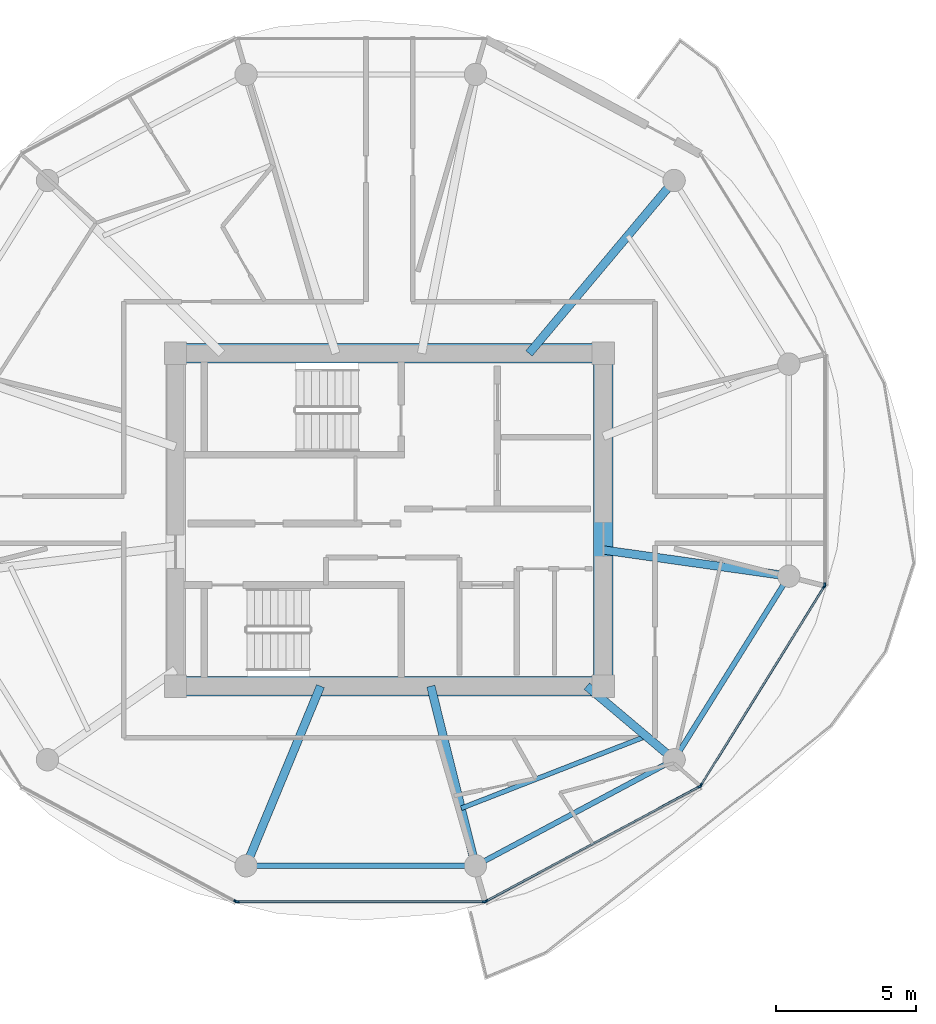
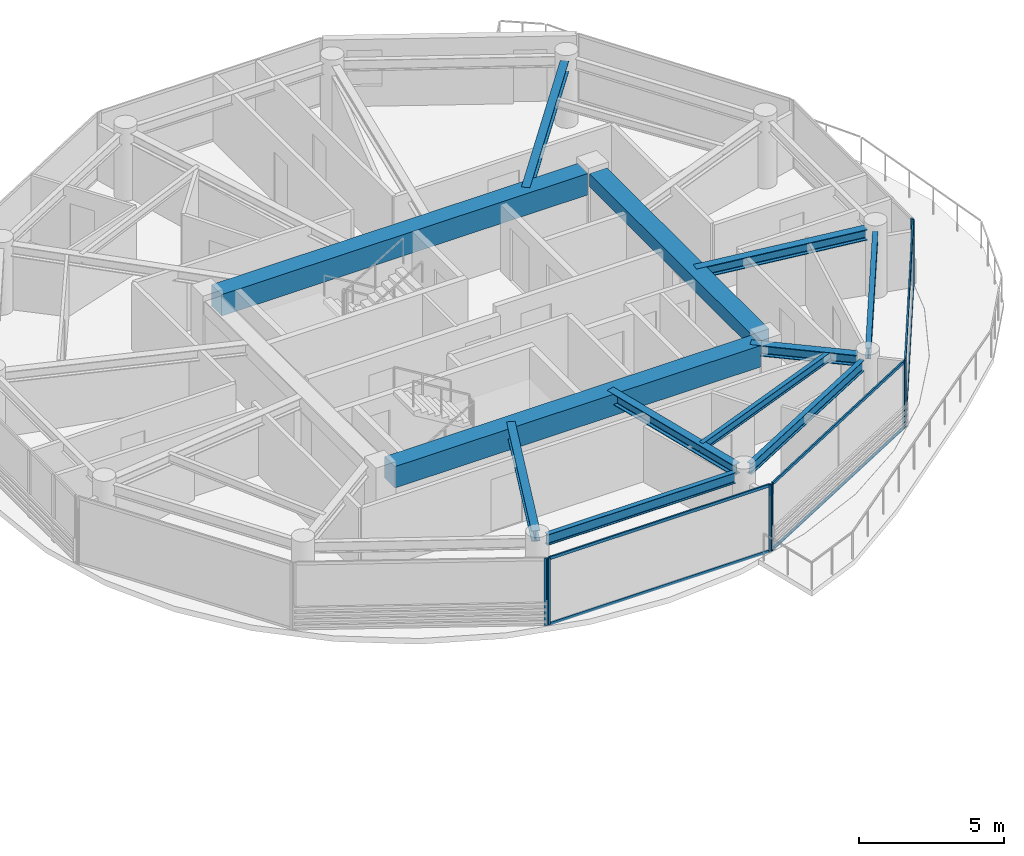
# One storey, part 10 of 23: 14 members, 12 beams, 5 elements without a shape of their own.
"""IFC4 building model written with IfcOpenShell, lengths in metres."""

from ifc_helpers import new_model, si_unit, direction, frame, origin, origin_2d, place, context, subcontext, project, spatial, rectangle, i_section, extrude, source, transform, mapped, material, layer, layer_set, material_profile, profile_set, type_object, type_shapes, element, aggregate, save


model = new_model("IFC4")

# Units and contexts
model_context = context("Model", 3, precision=1e-05, world=origin(), true_north=direction((0.0, 1.0)))
body_context = subcontext(model_context, "Body", "Model", "MODEL_VIEW")
ifc_project = project(units=[si_unit("LENGTHUNIT", "METRE"), si_unit("AREAUNIT", "SQUARE_METRE"), si_unit("VOLUMEUNIT", "CUBIC_METRE"), si_unit("PLANEANGLEUNIT", "RADIAN"), si_unit("MASSUNIT", "GRAM", prefix="KILO")], contexts=[model_context])

# Site, building, storey
site_placement = place(None, origin())
site = spatial("IfcSite", under=ifc_project, at=site_placement, CompositionType="ELEMENT")
building_placement = place(site_placement, origin())
building = spatial("IfcBuilding", under=site, at=building_placement, Name="Norrkilde Senior Care Towers", CompositionType="ELEMENT")
storey_placement = place(building_placement, frame((0.0, 0.0, 164.800048828125)))
storey = spatial("IfcBuildingStorey", under=building, at=storey_placement, Name="L51", CompositionType="ELEMENT", Elevation=164.800048828125)

# Beams
ifc_material_1 = material(Name="Concrete C60/75", Category="concrete")
ifc_material_profile_1 = material_profile(ifc_material_1, rectangle(XDim=0.699951171875, YDim=0.89990234375, at=origin_2d()), Name="RC BM 700x900")
ifc_profile_set_1 = profile_set([ifc_material_profile_1], Name="Concrete C60/75")
beam_type_1 = type_object("IfcBeamType", Name="Core Coupling Girder 700x900", PredefinedType="USERDEFINED", material=ifc_profile_set_1)
shared_shape_1 = source(origin(), body_context, "Body", "SweptSolid", [
    extrude(rectangle(XDim=0.699951171875, YDim=0.89990234375, at=origin_2d()), origin(), (0.0, 0.0, 1.0), 14.5400390625),
])
type_shapes(beam_type_1, [shared_shape_1])
for number, where, z_axis, x_axis, name in (
    (1, (20.72998046875, 5.949951171875, 2.35986328125), (1.0, 0.0, 0.0), (0.0, 1.0, 0.0), "L51 Core E N Coupling Girder"),
    (2, (20.72998046875, -5.949951171875, 2.35986328125), (1.0, 0.0, 0.0), (0.0, 1.0, 0.0), "L51 Core E S Coupling Girder"),
):
    element("IfcBeam", number, at=place(storey_placement, frame(where, z_axis=z_axis, x_axis=x_axis)), inside=storey, type_object=beam_type_1, Name=name, ObjectType="GIRDER", PredefinedType="USERDEFINED", context=body_context, shape_type="MappedRepresentation", body=[
        mapped(shared_shape_1, transform((0.0, 0.0, 0.0), x_axis=(1.0, 0.0, 0.0), y_axis=(0.0, 1.0, 0.0), z_axis=(0.0, 0.0, 1.0), scale=1.0)),
    ])
ifc_material_profile_2 = material_profile(ifc_material_1, rectangle(XDim=0.699951171875, YDim=0.550048828125, at=origin_2d()), Name="RC BM 700x550")
ifc_profile_set_2 = profile_set([ifc_material_profile_2], Name="Concrete C60/75")
beam_type_2 = type_object("IfcBeamType", Name="Core Portal Coupling Beam 700x550", PredefinedType="USERDEFINED", material=ifc_profile_set_2)
shared_shape_2 = source(origin(), body_context, "Body", "SweptSolid", [
    extrude(rectangle(XDim=0.699951171875, YDim=0.550048828125, at=origin_2d()), origin(), (0.0, 0.0, 1.0), 11.14013671875),
])
type_shapes(beam_type_2, [shared_shape_2])
beam_1_placement = place(storey_placement, frame((35.64990234375, -5.570068359375, 2.534912109375), z_axis=(0.0, 1.0, 0.0), x_axis=(-1.0, 0.0, 0.0)))
element("IfcBeam", 3, at=beam_1_placement, inside=storey, type_object=beam_type_2, Name="L51 Core E E Coupling Girder", ObjectType="GIRDER", PredefinedType="USERDEFINED", context=body_context, shape_type="MappedRepresentation", body=[
    mapped(shared_shape_2, transform((0.0, 0.0, 0.0), x_axis=(1.0, 0.0, 0.0), y_axis=(0.0, 1.0, 0.0), z_axis=(0.0, 0.0, 1.0), scale=1.0)),
])
ifc_material_2 = material(Name="Steel S355", Category="steel")
ifc_material_profile_3 = material_profile(ifc_material_2, i_section(OverallWidth=0.18994140625, OverallDepth=0.449951171875, WebThickness=0.009521484375, FlangeThickness=0.0146484375, FilletRadius=0.02099609375, at=origin_2d()), Name="IPE 450")
ifc_profile_set_3 = profile_set([ifc_material_profile_3], Name="Steel S355")
beam_type_3 = type_object("IfcBeamType", Name="Perimeter Ring Spandrel Z3 IPE450", PredefinedType="SPANDREL", material=ifc_profile_set_3)
shared_shape_3 = source(origin(), body_context, "Body", "SweptSolid", [
    extrude(i_section(OverallWidth=0.18994140625, OverallDepth=0.449951171875, WebThickness=0.009521484375, FlangeThickness=0.0146484375, FilletRadius=0.02099609375, at=origin_2d()), origin(), (0.0, 0.0, 1.0), 7.484619140625),
])
beam_2_placement = place(storey_placement, frame((23.232666015625, -12.37548828125, 2.5849609375), z_axis=(1.0, 0.0, 0.0), x_axis=(0.0, 1.0, 0.0)))
element("IfcBeam", 4, at=beam_2_placement, inside=storey, type_object=beam_type_3, Name="L51 Drum E Perimeter Spandrel 09", PredefinedType="SPANDREL", context=body_context, shape_type="MappedRepresentation", body=[
    mapped(shared_shape_3, transform((0.0, 0.0, 0.0), x_axis=(1.0, 0.0, 0.0), y_axis=(0.0, 1.0, 0.0), z_axis=(0.0, 0.0, 1.0), scale=1.0)),
])
ifc_material_profile_4 = material_profile(ifc_material_2, i_section(OverallWidth=0.300048828125, OverallDepth=0.449951171875, WebThickness=0.013916015625, FlangeThickness=0.02587890625, FilletRadius=0.027099609375, at=origin_2d()), Name="HEB 450")
ifc_profile_set_4 = profile_set([ifc_material_profile_4], Name="Steel S355")
beam_type_4 = type_object("IfcBeamType", Name="Radial Floor Beam Z3 HEB450", PredefinedType="BEAM", material=ifc_profile_set_4)
shared_shape_4 = source(origin(), body_context, "Body", "SweptSolid", [
    extrude(i_section(OverallWidth=0.300048828125, OverallDepth=0.449951171875, WebThickness=0.013916015625, FlangeThickness=0.02587890625, FilletRadius=0.027099609375, at=origin_2d()), origin(), (0.0, 0.0, 1.0), 7.71337890625),
])
beam_3_placement = place(storey_placement, frame((32.992919921875, 5.949951171875, 2.5849609375), z_axis=(0.642808239864, 0.766027131872, 0.0), x_axis=(-0.766027131872, 0.642808239864, 0.0)))
element("IfcBeam", 5, at=beam_3_placement, inside=storey, type_object=beam_type_4, Name="L51 Drum E Radial Floor Beam 02", PredefinedType="BEAM", context=body_context, shape_type="MappedRepresentation", body=[
    mapped(shared_shape_4, transform((0.0, 0.0, 0.0), x_axis=(1.0, 0.0, 0.0), y_axis=(0.0, 1.0, 0.0), z_axis=(0.0, 0.0, 1.0), scale=1.0)),
])
shared_shape_5 = source(origin(), body_context, "Body", "SweptSolid", [
    extrude(i_section(OverallWidth=0.18994140625, OverallDepth=0.449951171875, WebThickness=0.009521484375, FlangeThickness=0.0146484375, FilletRadius=0.02099609375, at=origin_2d()), origin(), (0.0, 0.0, 1.0), 7.023193359375),
])
beam_4_placement = place(storey_placement, frame((38.373291015625, -8.2783203125, 2.5849609375), z_axis=(0.529805197269, 0.848119362441, 0.0), x_axis=(-0.848119362441, 0.529805197269, 0.0)))
element("IfcBeam", 6, at=beam_4_placement, inside=storey, type_object=beam_type_3, Name="L51 Drum E Perimeter Spandrel 11", PredefinedType="SPANDREL", context=body_context, shape_type="MappedRepresentation", body=[
    mapped(shared_shape_5, transform((0.0, 0.0, 0.0), x_axis=(1.0, 0.0, 0.0), y_axis=(0.0, 1.0, 0.0), z_axis=(0.0, 0.0, 1.0), scale=1.0)),
])
shared_shape_6 = source(origin(), body_context, "Body", "SweptSolid", [
    extrude(i_section(OverallWidth=0.300048828125, OverallDepth=0.449951171875, WebThickness=0.013916015625, FlangeThickness=0.02587890625, FilletRadius=0.027099609375, at=origin_2d()), origin(), (0.0, 0.0, 1.0), 6.3408203125),
])
beam_5_placement = place(storey_placement, frame((35.64990234375, -1.079833984375, 2.5849609375), z_axis=(0.990184519576, -0.139766294905, 0.0), x_axis=(0.139766294905, 0.990184519576, 0.0)))
element("IfcBeam", 7, at=beam_5_placement, inside=storey, type_object=beam_type_4, Name="L51 Drum E Radial Floor Beam 12", PredefinedType="BEAM", context=body_context, shape_type="MappedRepresentation", body=[
    mapped(shared_shape_6, transform((0.0, 0.0, 0.0), x_axis=(1.0, 0.0, 0.0), y_axis=(0.0, 1.0, 0.0), z_axis=(0.0, 0.0, 1.0), scale=1.0)),
])
shared_shape_7 = source(origin(), body_context, "Body", "SweptSolid", [
    extrude(i_section(OverallWidth=0.18994140625, OverallDepth=0.449951171875, WebThickness=0.009521484375, FlangeThickness=0.0146484375, FilletRadius=0.02099609375, at=origin_2d()), origin(), (0.0, 0.0, 1.0), 7.333984375),
])
type_shapes(beam_type_3, [shared_shape_3, shared_shape_5, shared_shape_7])
beam_6_placement = place(storey_placement, frame((31.394775390625, -12.2060546875, 2.5849609375), z_axis=(0.882234038987, 0.470811109101, 0.0), x_axis=(-0.470811109101, 0.882234038987, 0.0)))
element("IfcBeam", 8, at=beam_6_placement, inside=storey, type_object=beam_type_3, Name="L51 Drum E Perimeter Spandrel 10", PredefinedType="SPANDREL", context=body_context, shape_type="MappedRepresentation", body=[
    mapped(shared_shape_7, transform((0.0, 0.0, 0.0), x_axis=(1.0, 0.0, 0.0), y_axis=(0.0, 1.0, 0.0), z_axis=(0.0, 0.0, 1.0), scale=1.0)),
])
shared_shape_8 = source(origin(), body_context, "Body", "SweptSolid", [
    extrude(i_section(OverallWidth=0.300048828125, OverallDepth=0.449951171875, WebThickness=0.013916015625, FlangeThickness=0.02587890625, FilletRadius=0.027099609375, at=origin_2d()), origin(), (0.0, 0.0, 1.0), 3.7265625),
])
beam_7_placement = place(storey_placement, frame((35.058349609375, -5.949951171875, 2.5849609375), z_axis=(0.764567902106, -0.644543189453, 0.0), x_axis=(0.644543189453, 0.764567902106, 0.0)))
element("IfcBeam", 9, at=beam_7_placement, inside=storey, type_object=beam_type_4, Name="L51 Drum E Radial Floor Beam 11", PredefinedType="BEAM", context=body_context, shape_type="MappedRepresentation", body=[
    mapped(shared_shape_8, transform((0.0, 0.0, 0.0), x_axis=(1.0, 0.0, 0.0), y_axis=(0.0, 1.0, 0.0), z_axis=(0.0, 0.0, 1.0), scale=1.0)),
])
shared_shape_9 = source(origin(), body_context, "Body", "SweptSolid", [
    extrude(i_section(OverallWidth=0.300048828125, OverallDepth=0.449951171875, WebThickness=0.013916015625, FlangeThickness=0.02587890625, FilletRadius=0.027099609375, at=origin_2d()), origin(), (0.0, 0.0, 1.0), 6.26123046875),
])
beam_8_placement = place(storey_placement, frame((29.4794921875, -5.949951171875, 2.5849609375), z_axis=(0.241324375921, -0.970444509277, 0.0), x_axis=(0.970444509277, 0.241324375921, 0.0)))
element("IfcBeam", 10, at=beam_8_placement, inside=storey, type_object=beam_type_4, Name="L51 Drum E Radial Floor Beam 10", PredefinedType="BEAM", context=body_context, shape_type="MappedRepresentation", body=[
    mapped(shared_shape_9, transform((0.0, 0.0, 0.0), x_axis=(1.0, 0.0, 0.0), y_axis=(0.0, 1.0, 0.0), z_axis=(0.0, 0.0, 1.0), scale=1.0)),
])
shared_shape_10 = source(origin(), body_context, "Body", "SweptSolid", [
    extrude(i_section(OverallWidth=0.300048828125, OverallDepth=0.449951171875, WebThickness=0.013916015625, FlangeThickness=0.02587890625, FilletRadius=0.027099609375, at=origin_2d()), origin(), (0.0, 0.0, 1.0), 6.59521484375),
])
type_shapes(beam_type_4, [shared_shape_4, shared_shape_6, shared_shape_8, shared_shape_9, shared_shape_10])
beam_9_placement = place(storey_placement, frame((25.534912109375, -5.949951171875, 2.5849609375), z_axis=(-0.382761541363, -0.923847174836, 0.0), x_axis=(0.923847174836, -0.382761541363, 0.0)))
element("IfcBeam", 11, at=beam_9_placement, inside=storey, type_object=beam_type_4, Name="L51 Drum E Radial Floor Beam 09", PredefinedType="BEAM", context=body_context, shape_type="MappedRepresentation", body=[
    mapped(shared_shape_10, transform((0.0, 0.0, 0.0), x_axis=(1.0, 0.0, 0.0), y_axis=(0.0, 1.0, 0.0), z_axis=(0.0, 0.0, 1.0), scale=1.0)),
])
ifc_material_profile_5 = material_profile(ifc_material_2, i_section(OverallWidth=0.169921875, OverallDepth=0.360107421875, WebThickness=0.008056640625, FlangeThickness=0.0126953125, FilletRadius=0.01806640625, at=origin_2d()), Name="IPE 360")
ifc_profile_set_5 = profile_set([ifc_material_profile_5], Name="Steel S355")
beam_type_5 = type_object("IfcBeamType", Name="Secondary Floor Joist IPE360", PredefinedType="JOIST", material=ifc_profile_set_5)
shared_shape_11 = source(origin(), body_context, "Body", "SweptSolid", [
    extrude(i_section(OverallWidth=0.169921875, OverallDepth=0.360107421875, WebThickness=0.008056640625, FlangeThickness=0.0126953125, FilletRadius=0.01806640625, at=origin_2d()), origin(), (0.0, 0.0, 1.0), 7.1015625),
])
type_shapes(beam_type_5, [shared_shape_11])
beam_10_placement = place(storey_placement, frame((30.56591796875, -10.3193359375, 2.6298828125), z_axis=(0.931761231292, 0.363071629106, 0.0), x_axis=(-0.363071629106, 0.931761231292, 0.0)))
element("IfcBeam", 12, at=beam_10_placement, inside=storey, type_object=beam_type_5, Name="L51 Drum E Secondary Floor Joist 4", PredefinedType="JOIST", context=body_context, shape_type="MappedRepresentation", body=[
    mapped(shared_shape_11, transform((0.0, 0.0, 0.0), x_axis=(1.0, 0.0, 0.0), y_axis=(0.0, 1.0, 0.0), z_axis=(0.0, 0.0, 1.0), scale=1.0)),
])

# Curtain wall, member
ifc_material_3 = material(Name="Triple Low-E Insulated Glazing", Category="glass")
ifc_layer = layer(ifc_material_3, 0.18994140625)
ifc_layer_set = layer_set([ifc_layer], Name="Triple Low-E Insulated Glazing")
curtain_wall_type = type_object("IfcCurtainWallType", Name="CW4 Zone 3 Senior Residence Curtain Wall", PredefinedType="NOTDEFINED", material=ifc_layer_set)
curtain_wall_1_placement = place(storey_placement, origin())
curtain_wall_1 = element("IfcCurtainWall", 13, at=curtain_wall_1_placement, inside=storey, type_object=curtain_wall_type, Name="L51 Drum E Curtain Wall 07", PredefinedType="NOTDEFINED")
ifc_material_4 = material(Name="Anodised Aluminium", Category="aluminium")
ifc_material_profile_6 = material_profile(ifc_material_4, rectangle(XDim=0.06494140625, YDim=0.14990234375, at=origin_2d()), Name="ALU MULL 65x150")
ifc_profile_set_6 = profile_set([ifc_material_profile_6], Name="Anodised Aluminium")
member_type_1 = type_object("IfcMemberType", Name="Curtain Wall Mullion Z3-Z4 65x150", PredefinedType="MULLION", material=ifc_profile_set_6)
shared_shape_12 = source(origin(), body_context, "Body", "SweptSolid", [
    extrude(rectangle(XDim=0.06494140625, YDim=0.14990234375, at=origin_2d()), origin(), (0.0, 0.0, 1.0), 2.81005859375),
])
type_shapes(member_type_1, [shared_shape_12])
member_1_placement = place(storey_placement, frame((22.499755859375, -13.644775390625, 0.0), z_axis=(0.0, 0.0, 1.0), x_axis=(-0.47311715104, -0.880999524059, 0.0)))
member_1 = element("IfcMember", 14, at=member_1_placement, type_object=member_type_1, Name="CW-4 mullion 1", PredefinedType="MULLION", context=body_context, shape_type="MappedRepresentation", body=[
    mapped(shared_shape_12, transform((0.0, 0.0, 0.0), x_axis=(1.0, 0.0, 0.0), y_axis=(0.0, 1.0, 0.0), z_axis=(0.0, 0.0, 1.0), scale=1.0)),
])
aggregate(curtain_wall_1, [member_1])

# Curtain wall, members
curtain_wall_2_placement = place(storey_placement, origin())
curtain_wall_2 = element("IfcCurtainWall", 15, at=curtain_wall_2_placement, inside=storey, type_object=curtain_wall_type, Name="L51 Drum E Curtain Wall 08", PredefinedType="NOTDEFINED")
member_2_placement = place(storey_placement, frame((31.388916015625, -13.66015625, 0.0), z_axis=(0.0, 0.0, 1.0), x_axis=(0.0, -1.0, 0.0)))
member_2 = element("IfcMember", 16, at=member_2_placement, type_object=member_type_1, Name="CW-4 mullion 1", PredefinedType="MULLION", context=body_context, shape_type="MappedRepresentation", body=[
    mapped(shared_shape_12, transform((0.0, 0.0, 0.0), x_axis=(1.0, 0.0, 0.0), y_axis=(0.0, 1.0, 0.0), z_axis=(0.0, 0.0, 1.0), scale=1.0)),
])
member_3_placement = place(storey_placement, frame((22.56103515625, -13.66015625, 0.0), z_axis=(0.0, 0.0, 1.0), x_axis=(0.0, -1.0, 0.0)))
member_3 = element("IfcMember", 17, at=member_3_placement, type_object=member_type_1, Name="CW-4 mullion 2", PredefinedType="MULLION", context=body_context, shape_type="MappedRepresentation", body=[
    mapped(shared_shape_12, transform((0.0, 0.0, 0.0), x_axis=(1.0, 0.0, 0.0), y_axis=(0.0, 1.0, 0.0), z_axis=(0.0, 0.0, 1.0), scale=1.0)),
])

curtain_wall_3_placement = place(storey_placement, origin())
curtain_wall_3 = element("IfcCurtainWall", 18, at=curtain_wall_3_placement, inside=storey, type_object=curtain_wall_type, Name="L51 Drum E Curtain Wall 09", PredefinedType="NOTDEFINED")
member_4_placement = place(storey_placement, frame((39.094482421875, -9.53955078125, 0.0), z_axis=(0.0, 0.0, 1.0), x_axis=(0.47311715104, -0.880999524059, 0.0)))
member_4 = element("IfcMember", 19, at=member_4_placement, type_object=member_type_1, Name="CW-4 mullion 1", PredefinedType="MULLION", context=body_context, shape_type="MappedRepresentation", body=[
    mapped(shared_shape_12, transform((0.0, 0.0, 0.0), x_axis=(1.0, 0.0, 0.0), y_axis=(0.0, 1.0, 0.0), z_axis=(0.0, 0.0, 1.0), scale=1.0)),
])
member_5_placement = place(storey_placement, frame((31.4501953125, -13.644775390625, 0.0), z_axis=(0.0, 0.0, 1.0), x_axis=(0.47311715104, -0.880999524059, 0.0)))
member_5 = element("IfcMember", 20, at=member_5_placement, type_object=member_type_1, Name="CW-4 mullion 2", PredefinedType="MULLION", context=body_context, shape_type="MappedRepresentation", body=[
    mapped(shared_shape_12, transform((0.0, 0.0, 0.0), x_axis=(1.0, 0.0, 0.0), y_axis=(0.0, 1.0, 0.0), z_axis=(0.0, 0.0, 1.0), scale=1.0)),
])

curtain_wall_4_placement = place(storey_placement, origin())
curtain_wall_4 = element("IfcCurtainWall", 21, at=curtain_wall_4_placement, inside=storey, type_object=curtain_wall_type, Name="L51 Drum E Curtain Wall 10", PredefinedType="NOTDEFINED")
member_6_placement = place(storey_placement, frame((43.552490234375, -2.38818359375, 0.0), z_axis=(0.0, 0.0, 1.0), x_axis=(0.84963405474, -0.52737270789, 0.0)))
member_6 = element("IfcMember", 22, at=member_6_placement, type_object=member_type_1, Name="CW-4 mullion 1", PredefinedType="MULLION", context=body_context, shape_type="MappedRepresentation", body=[
    mapped(shared_shape_12, transform((0.0, 0.0, 0.0), x_axis=(1.0, 0.0, 0.0), y_axis=(0.0, 1.0, 0.0), z_axis=(0.0, 0.0, 1.0), scale=1.0)),
])
member_7_placement = place(storey_placement, frame((39.14013671875, -9.49658203125, 0.0), z_axis=(0.0, 0.0, 1.0), x_axis=(0.84963405474, -0.52737270789, 0.0)))
member_7 = element("IfcMember", 23, at=member_7_placement, type_object=member_type_1, Name="CW-4 mullion 2", PredefinedType="MULLION", context=body_context, shape_type="MappedRepresentation", body=[
    mapped(shared_shape_12, transform((0.0, 0.0, 0.0), x_axis=(1.0, 0.0, 0.0), y_axis=(0.0, 1.0, 0.0), z_axis=(0.0, 0.0, 1.0), scale=1.0)),
])

# Curtain wall, member
curtain_wall_5_placement = place(storey_placement, origin())
curtain_wall_5 = element("IfcCurtainWall", 24, at=curtain_wall_5_placement, inside=storey, type_object=curtain_wall_type, Name="L51 Drum E Curtain Wall 11", PredefinedType="NOTDEFINED")
member_8_placement = place(storey_placement, frame((43.569580078125, -2.328125, 0.0), z_axis=(0.0, 0.0, 1.0), x_axis=(1.0, 0.0, 0.0)))
member_8 = element("IfcMember", 25, at=member_8_placement, type_object=member_type_1, Name="CW-4 mullion 2", PredefinedType="MULLION", context=body_context, shape_type="MappedRepresentation", body=[
    mapped(shared_shape_12, transform((0.0, 0.0, 0.0), x_axis=(1.0, 0.0, 0.0), y_axis=(0.0, 1.0, 0.0), z_axis=(0.0, 0.0, 1.0), scale=1.0)),
])
aggregate(curtain_wall_5, [member_8])

# Member
ifc_material_profile_7 = material_profile(ifc_material_4, rectangle(XDim=0.06005859375, YDim=0.1201171875, at=origin_2d()), Name="ALU TRAN 60x120")
ifc_profile_set_7 = profile_set([ifc_material_profile_7], Name="Anodised Aluminium")
member_type_2 = type_object("IfcMemberType", Name="Curtain Wall Transom Typical 60x120", PredefinedType="USERDEFINED", material=ifc_profile_set_7)
shared_shape_13 = source(origin(), body_context, "Body", "SweptSolid", [
    extrude(rectangle(XDim=0.06005859375, YDim=0.1201171875, at=origin_2d()), origin(), (0.0, 0.0, 1.0), 8.301513671875),
])
member_9_placement = place(storey_placement, frame((43.535400390625, -2.415771484375, 0.030029296875), z_axis=(-0.527368718394, -0.849636531029, 0.0), x_axis=(0.849636531029, -0.527368718394, 0.0)))
member_9 = element("IfcMember", 26, at=member_9_placement, type_object=member_type_2, Name="CW-4 transom 1.1", ObjectType="TRANSOM", PredefinedType="USERDEFINED", context=body_context, shape_type="MappedRepresentation", body=[
    mapped(shared_shape_13, transform((0.0, 0.0, 0.0), x_axis=(1.0, 0.0, 0.0), y_axis=(0.0, 1.0, 0.0), z_axis=(0.0, 0.0, 1.0), scale=1.0)),
])

member_10_placement = place(storey_placement, frame((43.535400390625, -2.415771484375, 2.780029296875), z_axis=(-0.527368718394, -0.849636531029, 0.0), x_axis=(0.849636531029, -0.527368718394, 0.0)))
member_10 = element("IfcMember", 27, at=member_10_placement, type_object=member_type_2, Name="CW-4 transom 1.2", ObjectType="TRANSOM", PredefinedType="USERDEFINED", context=body_context, shape_type="MappedRepresentation", body=[
    mapped(shared_shape_13, transform((0.0, 0.0, 0.0), x_axis=(1.0, 0.0, 0.0), y_axis=(0.0, 1.0, 0.0), z_axis=(0.0, 0.0, 1.0), scale=1.0)),
])

aggregate(curtain_wall_4, [member_6, member_7, member_9, member_10])

shared_shape_14 = source(origin(), body_context, "Body", "SweptSolid", [
    extrude(rectangle(XDim=0.06005859375, YDim=0.1201171875, at=origin_2d()), origin(), (0.0, 0.0, 1.0), 8.762939453125),
])
member_11_placement = place(storey_placement, frame((31.3564453125, -13.66015625, 0.030029296875), z_axis=(-1.0, 0.0, 0.0), x_axis=(0.0, -1.0, 0.0)))
member_11 = element("IfcMember", 28, at=member_11_placement, type_object=member_type_2, Name="CW-4 transom 1.1", ObjectType="TRANSOM", PredefinedType="USERDEFINED", context=body_context, shape_type="MappedRepresentation", body=[
    mapped(shared_shape_14, transform((0.0, 0.0, 0.0), x_axis=(1.0, 0.0, 0.0), y_axis=(0.0, 1.0, 0.0), z_axis=(0.0, 0.0, 1.0), scale=1.0)),
])

member_12_placement = place(storey_placement, frame((31.3564453125, -13.66015625, 2.780029296875), z_axis=(-1.0, 0.0, 0.0), x_axis=(0.0, -1.0, 0.0)))
member_12 = element("IfcMember", 29, at=member_12_placement, type_object=member_type_2, Name="CW-4 transom 1.2", ObjectType="TRANSOM", PredefinedType="USERDEFINED", context=body_context, shape_type="MappedRepresentation", body=[
    mapped(shared_shape_14, transform((0.0, 0.0, 0.0), x_axis=(1.0, 0.0, 0.0), y_axis=(0.0, 1.0, 0.0), z_axis=(0.0, 0.0, 1.0), scale=1.0)),
])

aggregate(curtain_wall_2, [member_2, member_3, member_11, member_12])

shared_shape_15 = source(origin(), body_context, "Body", "SweptSolid", [
    extrude(rectangle(XDim=0.06005859375, YDim=0.1201171875, at=origin_2d()), origin(), (0.0, 0.0, 1.0), 8.612060546875),
])
type_shapes(member_type_2, [shared_shape_13, shared_shape_14, shared_shape_15])
member_13_placement = place(storey_placement, frame((39.06591796875, -9.554931640625, 0.030029296875), z_axis=(-0.881000337462, -0.473115636384, 0.0), x_axis=(0.473115636384, -0.881000337462, 0.0)))
member_13 = element("IfcMember", 30, at=member_13_placement, type_object=member_type_2, Name="CW-4 transom 1.1", ObjectType="TRANSOM", PredefinedType="USERDEFINED", context=body_context, shape_type="MappedRepresentation", body=[
    mapped(shared_shape_15, transform((0.0, 0.0, 0.0), x_axis=(1.0, 0.0, 0.0), y_axis=(0.0, 1.0, 0.0), z_axis=(0.0, 0.0, 1.0), scale=1.0)),
])

member_14_placement = place(storey_placement, frame((39.06591796875, -9.554931640625, 2.780029296875), z_axis=(-0.881000337462, -0.473115636384, 0.0), x_axis=(0.473115636384, -0.881000337462, 0.0)))
member_14 = element("IfcMember", 31, at=member_14_placement, type_object=member_type_2, Name="CW-4 transom 1.2", ObjectType="TRANSOM", PredefinedType="USERDEFINED", context=body_context, shape_type="MappedRepresentation", body=[
    mapped(shared_shape_15, transform((0.0, 0.0, 0.0), x_axis=(1.0, 0.0, 0.0), y_axis=(0.0, 1.0, 0.0), z_axis=(0.0, 0.0, 1.0), scale=1.0)),
])

aggregate(curtain_wall_3, [member_4, member_5, member_13, member_14])

save(model, "model.ifc")
